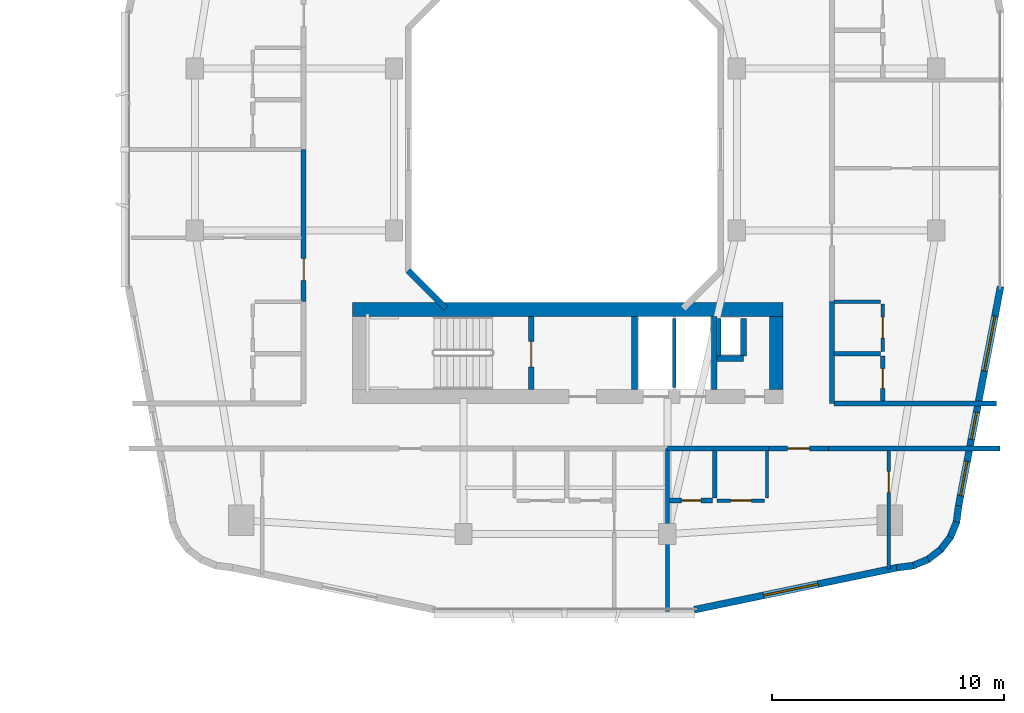
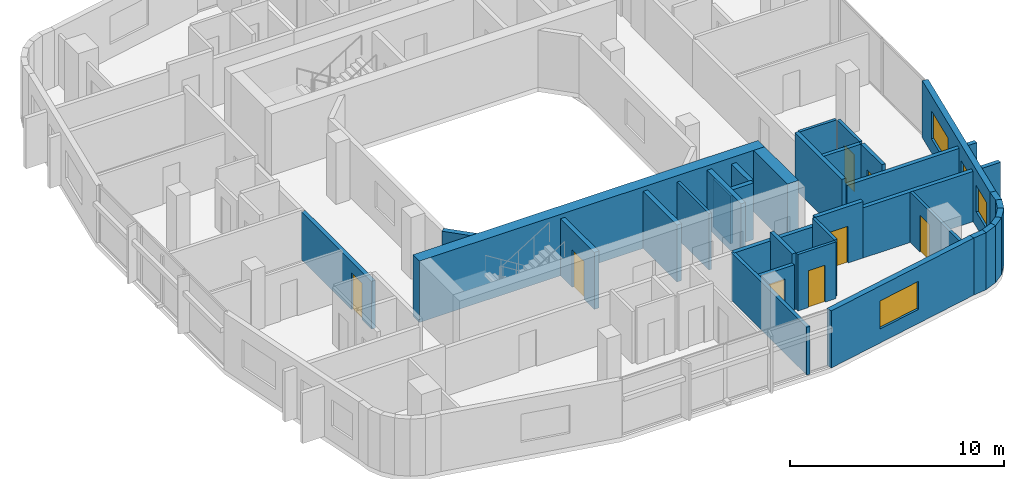
# One storey, part 18 of 26: 34 walls, 8 doors, 4 windows, 12 openings.
"""IFC4 building model written with IfcOpenShell, lengths in metres."""

from ifc_helpers import new_model, si_unit, derived_unit, direction, frame, frame_2d, origin, place, context, subcontext, project, spatial, rectangle, extrude, material, layer, layer_set, type_object, element, fill, save


model = new_model("IFC4")

# Units and contexts
model_context = context("Model", 3, precision=1e-05, world=origin(), true_north=direction((0.0, 1.0)))
body_context = subcontext(model_context, "Body", "Model", "MODEL_VIEW")
ifc_project = project(units=[si_unit("LENGTHUNIT", "METRE"), si_unit("AREAUNIT", "SQUARE_METRE"), si_unit("VOLUMEUNIT", "CUBIC_METRE"), si_unit("PLANEANGLEUNIT", "RADIAN"), si_unit("MASSUNIT", "GRAM", prefix="KILO"), derived_unit("THERMALTRANSMITTANCEUNIT", [(si_unit("POWERUNIT", "WATT"), 1), (si_unit("LENGTHUNIT", "METRE"), -2), (si_unit("THERMODYNAMICTEMPERATUREUNIT", "KELVIN"), -1)])], contexts=[model_context])

# Site, building, storey
site_placement = place(None, origin())
site = spatial("IfcSite", under=ifc_project, at=site_placement, CompositionType="ELEMENT")
building_placement = place(site_placement, origin())
building = spatial("IfcBuilding", under=site, at=building_placement, Name="Kivonza Crest Hotel", CompositionType="ELEMENT")
storey_placement = place(building_placement, frame((0.0, 0.0, 45.0)))
storey = spatial("IfcBuildingStorey", under=building, at=storey_placement, Name="L11", CompositionType="ELEMENT", Elevation=45.0)

# Walls
ifc_material_1 = material(Name="High-density acoustic masonry inter-tenancy wall", Category="masonry")
ifc_layer_1 = layer(ifc_material_1, 0.179931640625)
ifc_layer_set_1 = layer_set([ifc_layer_1], Name="High-density acoustic masonry inter-tenancy wall")
wall_type_1 = type_object("IfcWallType", Name="WL-ACOU-180", PredefinedType="SOLIDWALL", material=ifc_layer_set_1)
wall_1_placement = place(storey_placement, frame((81.39990234375, 5.06005859375, 0.0), z_axis=(0.0, 0.0, 1.0), x_axis=(0.0, 1.0, 0.0)))
element("IfcWall", 1, at=wall_1_placement, inside=storey, type_object=wall_type_1, Name="L11 interior partition WA-L11-T2S-DIV1", PredefinedType="SOLIDWALL", context=body_context, shape_type="SweptSolid", body=[
    extrude(rectangle(XDim=7.0400390625, YDim=0.179931640625, at=frame_2d((3.52001953125, 0.0))), origin(), (0.0, 0.0, 1.0), 2.72509765625),
])
ifc_material_2 = material(Name="Autoclaved aerated concrete blockwork", Category="masonry")
ifc_layer_2 = layer(ifc_material_2, 0.219970703125)
ifc_layer_set_2 = layer_set([ifc_layer_2], Name="Autoclaved aerated concrete blockwork")
wall_type_2 = type_object("IfcWallType", Name="WL-ACOU-220", PredefinedType="SOLIDWALL", material=ifc_layer_set_2)
wall_2_placement = place(storey_placement, frame((81.39990234375, 12.10009765625, 0.0), z_axis=(0.0, 0.0, 1.0), x_axis=(1.0, 0.0, 0.0)))
element("IfcWall", 2, at=wall_2_placement, inside=storey, type_object=wall_type_2, Name="L11 interior partition WA-L11-A04-LCORR", PredefinedType="SOLIDWALL", context=body_context, shape_type="SweptSolid", body=[
    extrude(rectangle(XDim=4.380126953125, YDim=0.219970703125, at=frame_2d((2.18994140625, 0.0))), origin(), (0.0, 0.0, 1.0), 2.72509765625),
])
wall_3_placement = place(storey_placement, frame((88.35009765625, 12.10009765625, 0.0), z_axis=(0.0, 0.0, 1.0), x_axis=(1.0, 0.0, 0.0)))
element("IfcWall", 3, at=wall_3_placement, inside=storey, type_object=wall_type_2, Name="L11 interior partition WA-L11-A04-RCORR", PredefinedType="SOLIDWALL", context=body_context, shape_type="SweptSolid", body=[
    extrude(rectangle(XDim=7.409912109375, YDim=0.219970703125, at=frame_2d((3.705078125, 0.0))), origin(), (0.0, 0.0, 1.0), 2.864990234375),
])

# Wall, opening, door
wall_4_placement = place(storey_placement, frame((85.780029296875, 12.10009765625, 0.0), z_axis=(0.0, 0.0, 1.0), x_axis=(1.0, 0.0, 0.0)))
wall_4 = element("IfcWall", 4, at=wall_4_placement, inside=storey, type_object=wall_type_2, Name="L11 interior partition WA-L11-A04-MCORR", PredefinedType="SOLIDWALL", context=body_context, shape_type="SweptSolid", body=[
    extrude(rectangle(XDim=2.570068359375, YDim=0.219970703125, at=frame_2d((1.28515625, 0.0))), origin(), (0.0, 0.0, 1.0), 3.219970703125),
])
opening_1_placement = place(wall_4_placement, frame((0.81005859375, 0.0, 0.0)))
opening_1 = element("IfcOpeningElement", 5, at=opening_1_placement, cuts=wall_4, Name="Opening DU-60", PredefinedType="OPENING", context=body_context, shape_type="SweptSolid", body=[
    extrude(rectangle(XDim=0.949951171875, YDim=2.10009765625, at=frame_2d((0.47509765625, 1.050048828125))), frame((0.0, 0.1201171875, 0.0), z_axis=(0.0, -1.0, 0.0), x_axis=(1.0, 0.0, 0.0)), (0.0, 0.0, 1.0), 0.239990234375),
])
ifc_material_3 = material(Name="Hardwood timber oak", Category="wood")
door_type_1 = type_object("IfcDoorType", Name="DR-UNIT-950", OperationType="NOTDEFINED", PredefinedType="DOOR", material=ifc_material_3)
door_1_placement = place(opening_1_placement, frame((0.949951171875, 0.0, 0.0), z_axis=(0.0, 0.0, 1.0), x_axis=(-1.0, 0.0, 0.0)))
door_1 = element("IfcDoor", 6, at=door_1_placement, inside=storey, type_object=door_type_1, Name="L11 A04 apartment entrance fire door", OperationType="SINGLE_SWING_RIGHT", OverallHeight=2.10009765625, OverallWidth=0.949951171875, PredefinedType="DOOR", context=body_context, shape_type="SweptSolid", body=[
    extrude(rectangle(XDim=0.949951171875, YDim=2.10009765625, at=frame_2d((0.47509765625, 1.050048828125))), frame((0.0, 0.02490234375, 0.0), z_axis=(0.0, -1.0, 0.0), x_axis=(1.0, 0.0, 0.0)), (0.0, 0.0, 1.0), 0.050048828125),
])
fill(opening_1, door_1)

wall_5_placement = place(storey_placement, frame((65.699951171875, 18.43994140625, 0.0), z_axis=(0.0, 0.0, 1.0), x_axis=(0.0, 1.0, 0.0)))
wall_5 = element("IfcWall", 7, at=wall_5_placement, inside=storey, type_object=wall_type_2, Name="L11 interior partition WA-L11-A05-MCORR", PredefinedType="SOLIDWALL", context=body_context, shape_type="SweptSolid", body=[
    extrude(rectangle(XDim=6.56005859375, YDim=0.219970703125, at=frame_2d((3.280029296875, 0.0))), origin(), (0.0, 0.0, 1.0), 2.72509765625),
])
opening_2_placement = place(wall_5_placement, frame((0.905029296875, 0.0, 0.0)))
opening_2 = element("IfcOpeningElement", 8, at=opening_2_placement, cuts=wall_5, Name="Opening DU-60", PredefinedType="OPENING", context=body_context, shape_type="SweptSolid", body=[
    extrude(rectangle(XDim=0.949951171875, YDim=2.10009765625, at=frame_2d((0.47509765625, 1.050048828125))), frame((0.0, 0.1201171875, 0.0), z_axis=(0.0, -1.0, 0.0), x_axis=(1.0, 0.0, 0.0)), (0.0, 0.0, 1.0), 0.239990234375),
])
door_2_placement = place(opening_2_placement, origin())
door_2 = element("IfcDoor", 9, at=door_2_placement, inside=storey, type_object=door_type_1, Name="L11 A05 apartment entrance fire door", OperationType="SINGLE_SWING_LEFT", OverallHeight=2.10009765625, OverallWidth=0.949951171875, PredefinedType="DOOR", context=body_context, shape_type="SweptSolid", body=[
    extrude(rectangle(XDim=0.949951171875, YDim=2.10009765625, at=frame_2d((0.47509765625, 1.050048828125))), frame((0.0, 0.02490234375, 0.0), z_axis=(0.0, -1.0, 0.0), x_axis=(1.0, 0.0, 0.0)), (0.0, 0.0, 1.0), 0.050048828125),
])
fill(opening_2, door_2)

# Walls
wall_6_placement = place(storey_placement, frame((88.60009765625, 14.0400390625, 0.0), z_axis=(0.0, 0.0, 1.0), x_axis=(1.0, 0.0, 0.0)))
element("IfcWall", 10, at=wall_6_placement, inside=storey, type_object=wall_type_2, Name="L11 interior partition WA-L11-T2E-ENDS", PredefinedType="SOLIDWALL", context=body_context, shape_type="SweptSolid", body=[
    extrude(rectangle(XDim=7.0, YDim=0.219970703125, at=frame_2d((3.5, 0.0))), origin(), (0.0, 0.0, 1.0), 2.864990234375),
])
wall_7_placement = place(storey_placement, frame((88.5, 14.0400390625, 0.0), z_axis=(0.0, 0.0, 1.0), x_axis=(0.0, 1.0, 0.0)))
element("IfcWall", 11, at=wall_7_placement, inside=storey, type_object=wall_type_2, Name="L11 interior partition WA-L11-A07-BCORR", PredefinedType="SOLIDWALL", context=body_context, shape_type="SweptSolid", body=[
    extrude(rectangle(XDim=4.39990234375, YDim=0.219970703125, at=frame_2d((2.199951171875, 0.0))), origin(), (0.0, 0.0, 1.0), 3.219970703125),
])
ifc_material_4 = material(Name="Concrete C60/75", Category="concrete")
ifc_layer_3 = layer(ifc_material_4, 0.60009765625)
ifc_layer_set_3 = layer_set([ifc_layer_3], Name="Concrete C60/75")
wall_type_3 = type_object("IfcWallType", Name="WL-CORE-600", PredefinedType="SHEAR", material=ifc_layer_set_3)
wall_8_placement = place(storey_placement, frame((67.800048828125, 18.10009765625, 0.0), z_axis=(0.0, 0.0, 1.0), x_axis=(1.0, 0.0, 0.0)))
element("IfcWall", 12, at=wall_8_placement, inside=storey, type_object=wall_type_3, Name="Core wall T2-S North L11", PredefinedType="SHEAR", context=body_context, shape_type="SweptSolid", body=[
    extrude(rectangle(XDim=18.599853515625, YDim=0.60009765625, at=frame_2d((9.2998046875, 0.0))), origin(), (0.0, 0.0, 1.0), 3.5),
])
wall_9_placement = place(storey_placement, frame((86.10009765625, 14.639892578125, 0.0), z_axis=(0.0, 0.0, 1.0), x_axis=(0.0, 1.0, 0.0)))
element("IfcWall", 13, at=wall_9_placement, inside=storey, type_object=wall_type_3, Name="Core wall T2-S East L11", PredefinedType="SHEAR", context=body_context, shape_type="SweptSolid", body=[
    extrude(rectangle(XDim=3.16015625, YDim=0.60009765625, at=frame_2d((1.580078125, 0.0))), origin(), (0.0, 0.0, 1.0), 3.5),
])
ifc_material_5 = material(Name="Precast concrete C40/50", Category="concrete")
ifc_layer_4 = layer(ifc_material_5, 0.260009765625)
ifc_layer_set_4 = layer_set([ifc_layer_4], Name="Precast concrete C40/50")
wall_type_4 = type_object("IfcWallType", Name="WL-EXT-260", PredefinedType="STANDARD", material=ifc_layer_set_4)
wall_10_placement = place(storey_placement, frame((70.2041015625, 19.77197265625, 0.0), z_axis=(0.0, 0.0, 1.0), x_axis=(0.707053950914, -0.707159607512, 0.0)))
element("IfcWall", 14, at=wall_10_placement, inside=storey, type_object=wall_type_4, Name="L11 T2 light-well exterior wall 8", PredefinedType="STANDARD", context=body_context, shape_type="SweptSolid", body=[
    extrude(rectangle(XDim=2.310791015625, YDim=0.260009765625, at=frame_2d((1.1552734375, 0.0))), origin(), (0.0, 0.0, 1.0), 3.25),
])

# Wall, opening, window
ifc_layer_5 = layer(ifc_material_5, 0.300048828125)
ifc_layer_set_5 = layer_set([ifc_layer_5], Name="Precast concrete C40/50")
wall_type_5 = type_object("IfcWallType", Name="WL-EXT-300", PredefinedType="STANDARD", material=ifc_layer_set_5)
wall_11_placement = place(storey_placement, frame((82.56396484375, 5.135986328125, 0.0), z_axis=(0.0, 0.0, 1.0), x_axis=(0.979128391325, 0.203242695569, 0.0)))
wall_11 = element("IfcWall", 15, at=wall_11_placement, inside=storey, type_object=wall_type_5, Name="L11 T2 exterior insulated wall 9", PredefinedType="STANDARD", context=body_context, shape_type="SweptSolid", body=[
    extrude(rectangle(XDim=8.92041015625, YDim=0.300048828125, at=frame_2d((4.460205078125, 0.0))), origin(), (0.0, 0.0, 1.0), 3.25),
])
opening_3_placement = place(wall_11_placement, frame((3.048095703125, 0.0, 0.800048828125)))
opening_3 = element("IfcOpeningElement", 16, at=opening_3_placement, cuts=wall_11, Name="Opening WN-05", PredefinedType="OPENING", context=body_context, shape_type="SweptSolid", body=[
    extrude(rectangle(XDim=2.39990234375, YDim=1.60009765625, at=frame_2d((1.199951171875, 0.800048828125))), frame((0.0, 0.16015625, 0.0), z_axis=(0.0, -1.0, 0.0), x_axis=(1.0, 0.0, 0.0)), (0.0, 0.0, 1.0), 0.320068359375),
])
ifc_material_6 = material(Name="Thermally broken bronze aluminium and low-E double glazing", Category="aluminium")
window_type_1 = type_object("IfcWindowType", Name="WN-240x160", PartitioningType="TRIPLE_PANEL_VERTICAL", PredefinedType="WINDOW", material=ifc_material_6)
window_1_placement = place(opening_3_placement, origin())
window_1 = element("IfcWindow", 17, at=window_1_placement, inside=storey, type_object=window_type_1, Name="L11 T2 facade window 9", OverallHeight=1.60009765625, OverallWidth=2.39990234375, PartitioningType="SINGLE_PANEL", PredefinedType="WINDOW", context=body_context, shape_type="SweptSolid", body=[
    extrude(rectangle(XDim=2.39990234375, YDim=1.60009765625, at=frame_2d((1.199951171875, 0.800048828125))), frame((0.0, 0.030029296875, 0.0), z_axis=(0.0, -1.0, 0.0), x_axis=(1.0, 0.0, 0.0)), (0.0, 0.0, 1.0), 0.06005859375),
])
fill(opening_3, window_1)

# Walls
wall_12_placement = place(storey_placement, frame((91.29296875, 6.947998046875, 0.0), z_axis=(0.0, 0.0, 1.0), x_axis=(0.991486167159, 0.13021205909, 0.0)))
element("IfcWall", 18, at=wall_12_placement, inside=storey, type_object=wall_type_5, Name="L11 T2 exterior insulated wall 10", PredefinedType="STANDARD", context=body_context, shape_type="SweptSolid", body=[
    extrude(rectangle(XDim=0.729248046875, YDim=0.300048828125, at=frame_2d((0.36474609375, 0.0))), origin(), (0.0, 0.0, 1.0), 3.25),
])
for number, where, z_axis, x_axis, name in (
    (19, (91.965087890625, 7.02392578125, 0.0), (0.0, 0.0, 1.0), (0.923521684703, 0.383546213491, 0.0), "L11 T2 exterior insulated wall 11"),
    (20, (92.60888671875, 7.279052734375, 0.0), (0.0, 0.0, 1.0), (0.79363269798, 0.608397189915, 0.0), "L11 T2 exterior insulated wall 12"),
    (21, (93.166015625, 7.69091796875, 0.0), (0.0, 0.0, 1.0), (0.608603261071, 0.793474681772, 0.0), "L11 T2 exterior insulated wall 13"),
):
    element("IfcWall", number, at=place(storey_placement, frame(where, z_axis=z_axis, x_axis=x_axis)), inside=storey, type_object=wall_type_5, Name=name, PredefinedType="STANDARD", context=body_context, shape_type="SweptSolid", body=[
        extrude(rectangle(XDim=0.74609375, YDim=0.300048828125, at=frame_2d((0.373046875, 0.0))), origin(), (0.0, 0.0, 1.0), 3.25),
    ])
wall_13_placement = place(storey_placement, frame((93.595947265625, 8.23388671875, 0.0), z_axis=(0.0, 0.0, 1.0), x_axis=(0.383430326427, 0.923569805037, 0.0)))
element("IfcWall", 22, at=wall_13_placement, inside=storey, type_object=wall_type_5, Name="L11 T2 exterior insulated wall 14", PredefinedType="STANDARD", context=body_context, shape_type="SweptSolid", body=[
    extrude(rectangle(XDim=0.746337890625, YDim=0.300048828125, at=frame_2d((0.373046875, 0.0))), origin(), (0.0, 0.0, 1.0), 3.25),
])
wall_14_placement = place(storey_placement, frame((93.873046875, 8.868896484375, 0.0), z_axis=(0.0, 0.0, 1.0), x_axis=(0.129339184068, 0.991600411186, 0.0)))
element("IfcWall", 23, at=wall_14_placement, inside=storey, type_object=wall_type_5, Name="L11 T2 exterior insulated wall 15", PredefinedType="STANDARD", context=body_context, shape_type="SweptSolid", body=[
    extrude(rectangle(XDim=0.764404296875, YDim=0.300048828125, at=frame_2d((0.38232421875, 0.0))), origin(), (0.0, 0.0, 1.0), 3.25),
])

# Wall, openings, windows
wall_15_placement = place(storey_placement, frame((93.970947265625, 9.6201171875, 0.0), z_axis=(0.0, 0.0, 1.0), x_axis=(0.188087874316, 0.982152203854, 0.0)))
wall_15 = element("IfcWall", 24, at=wall_15_placement, inside=storey, type_object=wall_type_5, Name="L11 T2 exterior insulated wall 16", PredefinedType="STANDARD", context=body_context, shape_type="SweptSolid", body=[
    extrude(rectangle(XDim=9.6337890625, YDim=0.300048828125, at=frame_2d((4.81689453125, 0.0))), origin(), (0.0, 0.0, 1.0), 3.25),
])
opening_4_placement = place(wall_15_placement, frame((0.451904296875, 0.0, 0.85009765625)))
opening_4 = element("IfcOpeningElement", 25, at=opening_4_placement, cuts=wall_15, Name="Opening WN-02", PredefinedType="OPENING", context=body_context, shape_type="SweptSolid", body=[
    extrude(rectangle(XDim=1.5, YDim=1.5, at=frame_2d((0.75, 0.75))), frame((0.0, 0.16015625, 0.0), z_axis=(0.0, -1.0, 0.0), x_axis=(1.0, 0.0, 0.0)), (0.0, 0.0, 1.0), 0.320068359375),
])
opening_5_placement = place(wall_15_placement, frame((2.9130859375, 0.0, 0.85009765625)))
opening_5 = element("IfcOpeningElement", 26, at=opening_5_placement, cuts=wall_15, Name="Opening WN-01", PredefinedType="OPENING", context=body_context, shape_type="SweptSolid", body=[
    extrude(rectangle(XDim=1.199951171875, YDim=1.5, at=frame_2d((0.60009765625, 0.75))), frame((0.0, 0.16015625, 0.0), z_axis=(0.0, -1.0, 0.0), x_axis=(1.0, 0.0, 0.0)), (0.0, 0.0, 1.0), 0.320068359375),
])
opening_6_placement = place(wall_15_placement, frame((5.927978515625, 0.0, 0.800048828125)))
opening_6 = element("IfcOpeningElement", 27, at=opening_6_placement, cuts=wall_15, Name="Opening WN-05", PredefinedType="OPENING", context=body_context, shape_type="SweptSolid", body=[
    extrude(rectangle(XDim=2.39990234375, YDim=1.60009765625, at=frame_2d((1.199951171875, 0.800048828125))), frame((0.0, 0.16015625, 0.0), z_axis=(0.0, -1.0, 0.0), x_axis=(1.0, 0.0, 0.0)), (0.0, 0.0, 1.0), 0.320068359375),
])
window_type_2 = type_object("IfcWindowType", Name="WN-120x150", PartitioningType="SINGLE_PANEL", PredefinedType="WINDOW", material=ifc_material_6)
window_2_placement = place(opening_5_placement, origin())
window_2 = element("IfcWindow", 28, at=window_2_placement, inside=storey, type_object=window_type_2, Name="L11 T2 facade window 16 bay 2", OverallHeight=1.5, OverallWidth=1.199951171875, PartitioningType="SINGLE_PANEL", PredefinedType="WINDOW", context=body_context, shape_type="SweptSolid", body=[
    extrude(rectangle(XDim=1.199951171875, YDim=1.5, at=frame_2d((0.60009765625, 0.75))), frame((0.0, 0.030029296875, 0.0), z_axis=(0.0, -1.0, 0.0), x_axis=(1.0, 0.0, 0.0)), (0.0, 0.0, 1.0), 0.06005859375),
])
fill(opening_5, window_2)
window_type_3 = type_object("IfcWindowType", Name="WN-150x150", PartitioningType="DOUBLE_PANEL_VERTICAL", PredefinedType="WINDOW", material=ifc_material_6)
window_3_placement = place(opening_4_placement, origin())
window_3 = element("IfcWindow", 29, at=window_3_placement, inside=storey, type_object=window_type_3, Name="L11 T2 facade window 16 bay 1", OverallHeight=1.5, OverallWidth=1.5, PartitioningType="SINGLE_PANEL", PredefinedType="WINDOW", context=body_context, shape_type="SweptSolid", body=[
    extrude(rectangle(XDim=1.5, YDim=1.5, at=frame_2d((0.75, 0.75))), frame((0.0, 0.030029296875, 0.0), z_axis=(0.0, -1.0, 0.0), x_axis=(1.0, 0.0, 0.0)), (0.0, 0.0, 1.0), 0.06005859375),
])
fill(opening_4, window_3)
window_4_placement = place(opening_6_placement, origin())
window_4 = element("IfcWindow", 30, at=window_4_placement, inside=storey, type_object=window_type_1, Name="L11 T2 facade window 16 bay 3", OverallHeight=1.60009765625, OverallWidth=2.39990234375, PartitioningType="SINGLE_PANEL", PredefinedType="WINDOW", context=body_context, shape_type="SweptSolid", body=[
    extrude(rectangle(XDim=2.39990234375, YDim=1.60009765625, at=frame_2d((1.199951171875, 0.800048828125))), frame((0.0, 0.030029296875, 0.0), z_axis=(0.0, -1.0, 0.0), x_axis=(1.0, 0.0, 0.0)), (0.0, 0.0, 1.0), 0.06005859375),
])
fill(opening_6, window_4)

# Walls
ifc_material_7 = material(Name="Concrete blockwork fire-compartment wall", Category="masonry")
ifc_layer_6 = layer(ifc_material_7, 0.25)
ifc_layer_set_6 = layer_set([ifc_layer_6], Name="Concrete blockwork fire-compartment wall")
wall_type_6 = type_object("IfcWallType", Name="WL-FIRE-250", PredefinedType="SOLIDWALL", material=ifc_layer_set_6)
wall_16_placement = place(storey_placement, frame((84.679931640625, 16.080078125, 0.0), z_axis=(0.0, 0.0, 1.0), x_axis=(0.0, 1.0, 0.0)))
element("IfcWall", 31, at=wall_16_placement, inside=storey, type_object=wall_type_6, Name="L11 interior partition WA-L11-T2-S-MEPR-E", PredefinedType="SOLIDWALL", context=body_context, shape_type="SweptSolid", body=[
    extrude(rectangle(XDim=1.619873046875, YDim=0.25, at=frame_2d((0.81005859375, 0.0))), origin(), (0.0, 0.0, 1.0), 3.219970703125),
])
wall_17_placement = place(storey_placement, frame((83.550048828125, 15.97998046875, 0.0), z_axis=(0.0, 0.0, 1.0), x_axis=(1.0, 0.0, 0.0)))
element("IfcWall", 32, at=wall_17_placement, inside=storey, type_object=wall_type_6, Name="L11 interior partition WA-L11-T2-S-MEPR-H", PredefinedType="SOLIDWALL", context=body_context, shape_type="SweptSolid", body=[
    extrude(rectangle(XDim=1.1298828125, YDim=0.25, at=frame_2d((0.56494140625, 0.0))), origin(), (0.0, 0.0, 1.0), 3.219970703125),
])
ifc_material_8 = material(Name="Twin-stud acoustic gypsum board partition", Category="gypsum")
ifc_layer_7 = layer(ifc_material_8, 0.14990234375)
ifc_layer_set_7 = layer_set([ifc_layer_7], Name="Twin-stud acoustic gypsum board partition")
wall_type_7 = type_object("IfcWallType", Name="WL-PART-150", PredefinedType="PARTITIONING", material=ifc_layer_set_7)
wall_18_placement = place(storey_placement, frame((83.6298828125, 16.080078125, 0.0), z_axis=(0.0, 0.0, 1.0), x_axis=(0.0, 1.0, 0.0)))
element("IfcWall", 33, at=wall_18_placement, inside=storey, type_object=wall_type_7, Name="L11 interior partition WA-L11-T2-S-MEPR-W", PredefinedType="PARTITIONING", context=body_context, shape_type="SweptSolid", body=[
    extrude(rectangle(XDim=1.619873046875, YDim=0.14990234375, at=frame_2d((0.81005859375, 0.0))), origin(), (0.0, 0.0, 1.0), 2.72509765625),
])
wall_19_placement = place(storey_placement, frame((81.699951171875, 14.739990234375, 0.0), z_axis=(0.0, 0.0, 1.0), x_axis=(0.0, 1.0, 0.0)))
element("IfcWall", 34, at=wall_19_placement, inside=storey, type_object=wall_type_7, Name="L11 interior partition WP-L11-T2-S-BSH-1", PredefinedType="PARTITIONING", context=body_context, shape_type="SweptSolid", body=[
    extrude(rectangle(XDim=2.9599609375, YDim=0.14990234375, at=frame_2d((1.47998046875, 0.0))), origin(), (0.0, 0.0, 1.0), 3.219970703125),
])

# Wall, opening, door
wall_20_placement = place(storey_placement, frame((90.9599609375, 6.886962890625, 0.0), z_axis=(0.0, 0.0, 1.0), x_axis=(0.0, 1.0, 0.0)))
wall_20 = element("IfcWall", 35, at=wall_20_placement, inside=storey, type_object=wall_type_7, Name="L11 interior partition WP-L11-A04-BDW1", PredefinedType="PARTITIONING", context=body_context, shape_type="SweptSolid", body=[
    extrude(rectangle(XDim=5.113037109375, YDim=0.14990234375, at=frame_2d((2.556640625, 0.0))), origin(), (0.0, 0.0, 1.0), 2.864990234375),
])
opening_7_placement = place(wall_20_placement, frame((3.31005859375, 0.0, 0.0)))
opening_7 = element("IfcOpeningElement", 36, at=opening_7_placement, cuts=wall_20, Name="Opening DI-90", PredefinedType="OPENING", context=body_context, shape_type="SweptSolid", body=[
    extrude(rectangle(XDim=0.89990234375, YDim=2.10009765625, at=frame_2d((0.449951171875, 1.050048828125))), frame((0.0, 0.0849609375, 0.0), z_axis=(0.0, -1.0, 0.0), x_axis=(1.0, 0.0, 0.0)), (0.0, 0.0, 1.0), 0.169921875),
])
door_type_2 = type_object("IfcDoorType", Name="DR-INT-900", OperationType="NOTDEFINED", PredefinedType="DOOR", material=ifc_material_3)
door_3_placement = place(opening_7_placement, origin())
door_3 = element("IfcDoor", 37, at=door_3_placement, inside=storey, type_object=door_type_2, Name="L11 A04 bedroom 1 door", OperationType="SINGLE_SWING_LEFT", OverallHeight=2.10009765625, OverallWidth=0.89990234375, PredefinedType="DOOR", context=body_context, shape_type="SweptSolid", body=[
    extrude(rectangle(XDim=0.89990234375, YDim=2.10009765625, at=frame_2d((0.449951171875, 1.050048828125))), frame((0.0, 0.02490234375, 0.0), z_axis=(0.0, -1.0, 0.0), x_axis=(1.0, 0.0, 0.0)), (0.0, 0.0, 1.0), 0.050048828125),
])
fill(opening_7, door_3)

# Wall
wall_21_placement = place(storey_placement, frame((85.699951171875, 9.949951171875, 0.0), z_axis=(0.0, 0.0, 1.0), x_axis=(0.0, 1.0, 0.0)))
element("IfcWall", 38, at=wall_21_placement, inside=storey, type_object=wall_type_7, Name="L11 interior partition WP-L11-A04-KF", PredefinedType="PARTITIONING", context=body_context, shape_type="SweptSolid", body=[
    extrude(rectangle(XDim=2.050048828125, YDim=0.14990234375, at=frame_2d((1.02490234375, 0.0))), origin(), (0.0, 0.0, 1.0), 3.219970703125),
])

# Wall, opening, door
wall_22_placement = place(storey_placement, frame((83.550048828125, 9.85009765625, 0.0), z_axis=(0.0, 0.0, 1.0), x_axis=(1.0, 0.0, 0.0)))
wall_22 = element("IfcWall", 39, at=wall_22_placement, inside=storey, type_object=wall_type_7, Name="L11 interior partition WP-L11-A04-KSVC", PredefinedType="PARTITIONING", context=body_context, shape_type="SweptSolid", body=[
    extrude(rectangle(XDim=2.050048828125, YDim=0.14990234375, at=frame_2d((1.02490234375, 0.0))), origin(), (0.0, 0.0, 1.0), 3.219970703125),
])
opening_8_placement = place(wall_22_placement, frame((0.574951171875, 0.0, 0.0)))
opening_8 = element("IfcOpeningElement", 40, at=opening_8_placement, cuts=wall_22, Name="Opening DI-90", PredefinedType="OPENING", context=body_context, shape_type="SweptSolid", body=[
    extrude(rectangle(XDim=0.89990234375, YDim=2.10009765625, at=frame_2d((0.449951171875, 1.050048828125))), frame((0.0, 0.0849609375, 0.0), z_axis=(0.0, -1.0, 0.0), x_axis=(1.0, 0.0, 0.0)), (0.0, 0.0, 1.0), 0.169921875),
])
door_4_placement = place(opening_8_placement, frame((0.89990234375, 0.0, 0.0), z_axis=(0.0, 0.0, 1.0), x_axis=(-1.0, 0.0, 0.0)))
door_4 = element("IfcDoor", 41, at=door_4_placement, inside=storey, type_object=door_type_2, Name="L11 A04 apartment kitchen door", OperationType="SINGLE_SWING_RIGHT", OverallHeight=2.10009765625, OverallWidth=0.89990234375, PredefinedType="DOOR", context=body_context, shape_type="SweptSolid", body=[
    extrude(rectangle(XDim=0.89990234375, YDim=2.10009765625, at=frame_2d((0.449951171875, 1.050048828125))), frame((0.0, 0.02490234375, 0.0), z_axis=(0.0, -1.0, 0.0), x_axis=(1.0, 0.0, 0.0)), (0.0, 0.0, 1.0), 0.050048828125),
])
fill(opening_8, door_4)

# Wall
wall_23_placement = place(storey_placement, frame((88.60009765625, 18.43994140625, 0.0), z_axis=(0.0, 0.0, 1.0), x_axis=(1.0, 0.0, 0.0)))
element("IfcWall", 42, at=wall_23_placement, inside=storey, type_object=wall_type_7, Name="L11 interior partition WP-L11-A07-KF", PredefinedType="PARTITIONING", context=body_context, shape_type="SweptSolid", body=[
    extrude(rectangle(XDim=2.0, YDim=0.14990234375, at=frame_2d((1.0, 0.0))), origin(), (0.0, 0.0, 1.0), 3.219970703125),
])

# Wall, opening, door
wall_24_placement = place(storey_placement, frame((90.699951171875, 16.2900390625, 0.0), z_axis=(0.0, 0.0, 1.0), x_axis=(0.0, 1.0, 0.0)))
wall_24 = element("IfcWall", 43, at=wall_24_placement, inside=storey, type_object=wall_type_7, Name="L11 interior partition WP-L11-A07-KSVC", PredefinedType="PARTITIONING", context=body_context, shape_type="SweptSolid", body=[
    extrude(rectangle(XDim=2.050048828125, YDim=0.14990234375, at=frame_2d((1.02490234375, 0.0))), origin(), (0.0, 0.0, 1.0), 3.219970703125),
])
opening_9_placement = place(wall_24_placement, frame((0.574951171875, 0.0, 0.0)))
opening_9 = element("IfcOpeningElement", 44, at=opening_9_placement, cuts=wall_24, Name="Opening DI-90", PredefinedType="OPENING", context=body_context, shape_type="SweptSolid", body=[
    extrude(rectangle(XDim=0.89990234375, YDim=2.10009765625, at=frame_2d((0.449951171875, 1.050048828125))), frame((0.0, 0.0849609375, 0.0), z_axis=(0.0, -1.0, 0.0), x_axis=(1.0, 0.0, 0.0)), (0.0, 0.0, 1.0), 0.169921875),
])
door_5_placement = place(opening_9_placement, frame((0.89990234375, 0.0, 0.0), z_axis=(0.0, 0.0, 1.0), x_axis=(-1.0, 0.0, 0.0)))
door_5 = element("IfcDoor", 45, at=door_5_placement, inside=storey, type_object=door_type_2, Name="L11 A07 apartment kitchen door", OperationType="SINGLE_SWING_LEFT", OverallHeight=2.10009765625, OverallWidth=0.89990234375, PredefinedType="DOOR", context=body_context, shape_type="SweptSolid", body=[
    extrude(rectangle(XDim=0.89990234375, YDim=2.10009765625, at=frame_2d((0.449951171875, 1.050048828125))), frame((0.0, 0.02490234375, 0.0), z_axis=(0.0, -1.0, 0.0), x_axis=(1.0, 0.0, 0.0)), (0.0, 0.0, 1.0), 0.050048828125),
])
fill(opening_9, door_5)

# Wall
ifc_material_9 = material(Name="Moisture-resistant plumbing chase partition wall", Category="gypsum")
ifc_layer_8 = layer(ifc_material_9, 0.199951171875)
ifc_layer_set_8 = layer_set([ifc_layer_8], Name="Moisture-resistant plumbing chase partition wall")
wall_type_8 = type_object("IfcWallType", Name="WL-PLUMB-200", PredefinedType="PLUMBINGWALL", material=ifc_layer_set_8)
wall_25_placement = place(storey_placement, frame((83.449951171875, 9.949951171875, 0.0), z_axis=(0.0, 0.0, 1.0), x_axis=(0.0, 1.0, 0.0)))
element("IfcWall", 46, at=wall_25_placement, inside=storey, type_object=wall_type_8, Name="L11 interior partition WW-L11-A04-BK", PredefinedType="PLUMBINGWALL", context=body_context, shape_type="SweptSolid", body=[
    extrude(rectangle(XDim=2.050048828125, YDim=0.199951171875, at=frame_2d((1.02490234375, 0.0))), origin(), (0.0, 0.0, 1.0), 3.219970703125),
])

# Wall, opening, door
wall_26_placement = place(storey_placement, frame((81.5, 9.85009765625, 0.0), z_axis=(0.0, 0.0, 1.0), x_axis=(1.0, 0.0, 0.0)))
wall_26 = element("IfcWall", 47, at=wall_26_placement, inside=storey, type_object=wall_type_8, Name="L11 interior partition WW-L11-A04-BSVC", PredefinedType="PLUMBINGWALL", context=body_context, shape_type="SweptSolid", body=[
    extrude(rectangle(XDim=1.85009765625, YDim=0.199951171875, at=frame_2d((0.925048828125, 0.0))), origin(), (0.0, 0.0, 1.0), 2.72509765625),
])
opening_10_placement = place(wall_26_placement, frame((0.5, 0.0, 0.0)))
opening_10 = element("IfcOpeningElement", 48, at=opening_10_placement, cuts=wall_26, Name="Opening DI-85", PredefinedType="OPENING", context=body_context, shape_type="SweptSolid", body=[
    extrude(rectangle(XDim=0.85009765625, YDim=2.10009765625, at=frame_2d((0.425048828125, 1.050048828125))), frame((0.0, 0.10986328125, 0.0), z_axis=(0.0, -1.0, 0.0), x_axis=(1.0, 0.0, 0.0)), (0.0, 0.0, 1.0), 0.219970703125),
])
door_type_3 = type_object("IfcDoorType", Name="DR-INT-850", OperationType="NOTDEFINED", PredefinedType="DOOR", material=ifc_material_3)
door_6_placement = place(opening_10_placement, frame((0.85009765625, 0.0, 0.0), z_axis=(0.0, 0.0, 1.0), x_axis=(-1.0, 0.0, 0.0)))
door_6 = element("IfcDoor", 49, at=door_6_placement, inside=storey, type_object=door_type_3, Name="L11 A04 apartment bathroom door", OperationType="SINGLE_SWING_LEFT", OverallHeight=2.10009765625, OverallWidth=0.85009765625, PredefinedType="DOOR", context=body_context, shape_type="SweptSolid", body=[
    extrude(rectangle(XDim=0.85009765625, YDim=2.10009765625, at=frame_2d((0.425048828125, 1.050048828125))), frame((0.0, 0.02490234375, 0.0), z_axis=(0.0, -1.0, 0.0), x_axis=(1.0, 0.0, 0.0)), (0.0, 0.0, 1.0), 0.050048828125),
])
fill(opening_10, door_6)

# Wall
wall_27_placement = place(storey_placement, frame((88.60009765625, 16.18994140625, 0.0), z_axis=(0.0, 0.0, 1.0), x_axis=(1.0, 0.0, 0.0)))
element("IfcWall", 50, at=wall_27_placement, inside=storey, type_object=wall_type_8, Name="L11 interior partition WW-L11-A07-BK", PredefinedType="PLUMBINGWALL", context=body_context, shape_type="SweptSolid", body=[
    extrude(rectangle(XDim=2.0, YDim=0.199951171875, at=frame_2d((1.0, 0.0))), origin(), (0.0, 0.0, 1.0), 3.219970703125),
])

# Wall, opening, door
wall_28_placement = place(storey_placement, frame((90.699951171875, 14.139892578125, 0.0), z_axis=(0.0, 0.0, 1.0), x_axis=(0.0, 1.0, 0.0)))
wall_28 = element("IfcWall", 51, at=wall_28_placement, inside=storey, type_object=wall_type_8, Name="L11 interior partition WW-L11-A07-BSVC", PredefinedType="PLUMBINGWALL", context=body_context, shape_type="SweptSolid", body=[
    extrude(rectangle(XDim=1.9501953125, YDim=0.199951171875, at=frame_2d((0.97509765625, 0.0))), origin(), (0.0, 0.0, 1.0), 3.219970703125),
])
opening_11_placement = place(wall_28_placement, frame((0.550048828125, 0.0, 0.0)))
opening_11 = element("IfcOpeningElement", 52, at=opening_11_placement, cuts=wall_28, Name="Opening DI-85", PredefinedType="OPENING", context=body_context, shape_type="SweptSolid", body=[
    extrude(rectangle(XDim=0.85009765625, YDim=2.10009765625, at=frame_2d((0.425048828125, 1.050048828125))), frame((0.0, 0.10986328125, 0.0), z_axis=(0.0, -1.0, 0.0), x_axis=(1.0, 0.0, 0.0)), (0.0, 0.0, 1.0), 0.219970703125),
])
door_7_placement = place(opening_11_placement, frame((0.85009765625, 0.0, 0.0), z_axis=(0.0, 0.0, 1.0), x_axis=(-1.0, 0.0, 0.0)))
door_7 = element("IfcDoor", 53, at=door_7_placement, inside=storey, type_object=door_type_3, Name="L11 A07 apartment bathroom door", OperationType="SINGLE_SWING_RIGHT", OverallHeight=2.10009765625, OverallWidth=0.85009765625, PredefinedType="DOOR", context=body_context, shape_type="SweptSolid", body=[
    extrude(rectangle(XDim=0.85009765625, YDim=2.10009765625, at=frame_2d((0.425048828125, 1.050048828125))), frame((0.0, 0.02490234375, 0.0), z_axis=(0.0, -1.0, 0.0), x_axis=(1.0, 0.0, 0.0)), (0.0, 0.0, 1.0), 0.050048828125),
])
fill(opening_11, door_7)

ifc_material_10 = material(Name="Concrete C50/60", Category="concrete")
ifc_layer_9 = layer(ifc_material_10, 0.25)
ifc_layer_set_9 = layer_set([ifc_layer_9], Name="Concrete C50/60")
wall_type_9 = type_object("IfcWallType", Name="WL-SHAFT-250", PredefinedType="STANDARD", material=ifc_layer_set_9)
wall_29_placement = place(storey_placement, frame((75.52490234375, 14.639892578125, 0.0), z_axis=(0.0, 0.0, 1.0), x_axis=(0.0, 1.0, 0.0)))
wall_29 = element("IfcWall", 54, at=wall_29_placement, inside=storey, type_object=wall_type_9, Name="Core shaft wall T2-S STAIR L11", PredefinedType="STANDARD", context=body_context, shape_type="SweptSolid", body=[
    extrude(rectangle(XDim=3.16015625, YDim=0.25, at=frame_2d((1.580078125, 0.0))), origin(), (0.0, 0.0, 1.0), 3.25),
])
opening_12_placement = place(wall_29_placement, frame((0.97998046875, 0.0, 0.0)))
opening_12 = element("IfcOpeningElement", 55, at=opening_12_placement, cuts=wall_29, Name="Opening DF-120", PredefinedType="OPENING", context=body_context, shape_type="SweptSolid", body=[
    extrude(rectangle(XDim=1.10009765625, YDim=2.14990234375, at=frame_2d((0.550048828125, 1.074951171875))), frame((0.0, 0.135009765625, 0.0), z_axis=(0.0, -1.0, 0.0), x_axis=(1.0, 0.0, 0.0)), (0.0, 0.0, 1.0), 0.27001953125),
])
ifc_material_11 = material(Name="Galvanised steel", Category="steel")
door_type_4 = type_object("IfcDoorType", Name="DR-FD120-1100", OperationType="NOTDEFINED", PredefinedType="DOOR", material=ifc_material_11)
door_8_placement = place(opening_12_placement, frame((1.10009765625, 0.0, 0.0), z_axis=(0.0, 0.0, 1.0), x_axis=(-1.0, 0.0, 0.0)))
door_8 = element("IfcDoor", 56, at=door_8_placement, inside=storey, type_object=door_type_4, Name="L11 T2-S stair fire door", OperationType="SINGLE_SWING_RIGHT", OverallHeight=2.14990234375, OverallWidth=1.10009765625, PredefinedType="DOOR", context=body_context, shape_type="SweptSolid", body=[
    extrude(rectangle(XDim=1.10009765625, YDim=2.14990234375, at=frame_2d((0.550048828125, 1.074951171875))), frame((0.0, 0.02490234375, 0.0), z_axis=(0.0, -1.0, 0.0), x_axis=(1.0, 0.0, 0.0)), (0.0, 0.0, 1.0), 0.050048828125),
])
fill(opening_12, door_8)

# Walls
for number, where, z_axis, x_axis, name in (
    (57, (79.97509765625, 14.639892578125, 0.0), (0.0, 0.0, 1.0), (0.0, 1.0, 0.0), "Core shaft wall T2-S BANK-W L11"),
    (58, (83.425048828125, 14.639892578125, 0.0), (0.0, 0.0, 1.0), (0.0, 1.0, 0.0), "Core shaft wall T2-S BANK-E L11"),
):
    element("IfcWall", number, at=place(storey_placement, frame(where, z_axis=z_axis, x_axis=x_axis)), inside=storey, type_object=wall_type_9, Name=name, PredefinedType="STANDARD", context=body_context, shape_type="SweptSolid", body=[
        extrude(rectangle(XDim=3.16015625, YDim=0.25, at=frame_2d((1.580078125, 0.0))), origin(), (0.0, 0.0, 1.0), 3.25),
    ])

save(model, "model.ifc")
